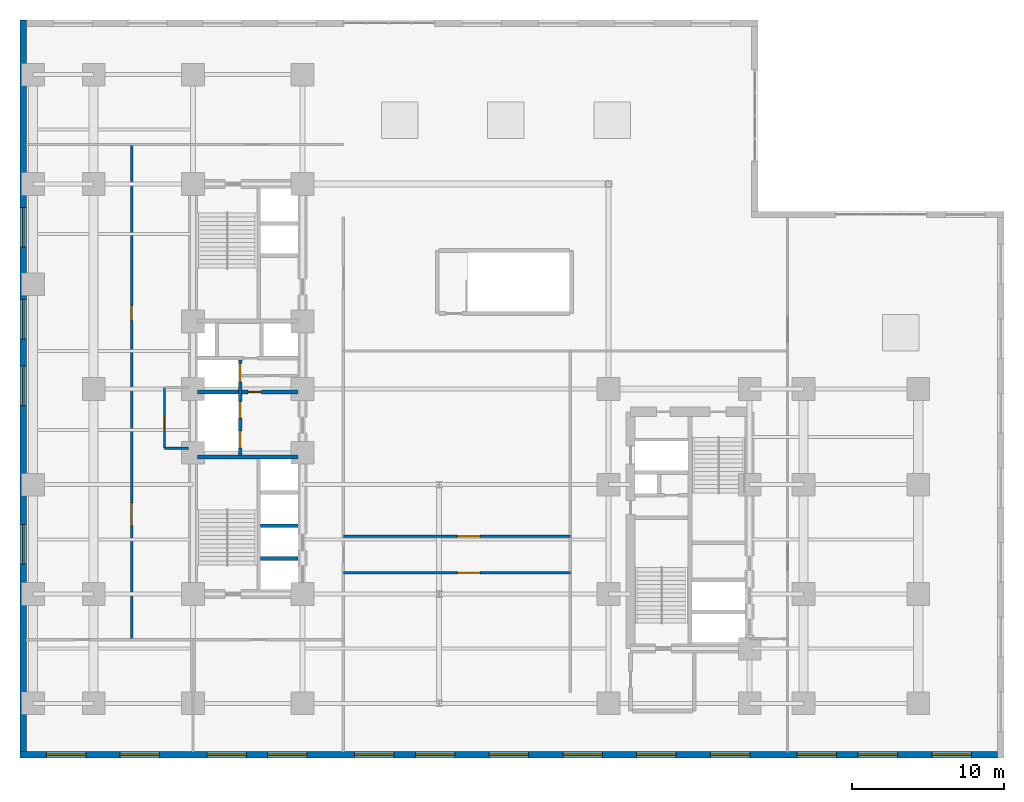
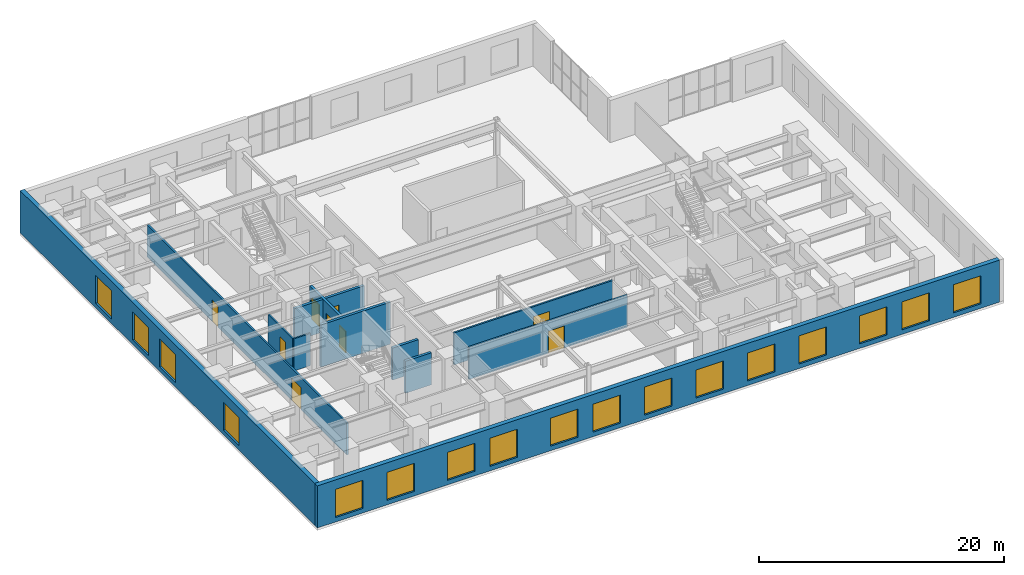
# One storey, part 8 of 14: 17 windows, 12 walls, 9 doors, 26 openings.
"""IFC4 building model written with IfcOpenShell, lengths in metres."""

from ifc_helpers import new_model, entity, si_unit, converted_unit, direction, frame, origin_with_axes, origin_2d_with_axis, place, context, subcontext, project, spatial, polyline, rectangle, outline, extrude, material, layer, layer_set, type_object, element, fill, save


model = new_model("IFC4")

# Units and contexts
model_context = context("Model", 3, precision=1e-05, world=origin_with_axes(), true_north=direction((0.0, 1.0)))
body_context = subcontext(model_context, "Body", "Model", "MODEL_VIEW")
ifc_project = project(units=[si_unit("LENGTHUNIT", "METRE"), si_unit("AREAUNIT", "SQUARE_METRE"), si_unit("VOLUMEUNIT", "CUBIC_METRE"), converted_unit("PLANEANGLEUNIT", "DEGREE", entity("IfcPlaneAngleMeasure", 0.017453292519943295), si_unit("PLANEANGLEUNIT", "RADIAN"), dimensions=[0, 0, 0, 0, 0, 0, 0]), si_unit("MASSUNIT", "GRAM", prefix="KILO"), si_unit("THERMODYNAMICTEMPERATUREUNIT", "KELVIN")], contexts=[model_context])

# Site, building, storey
site_placement = place(None, origin_with_axes())
site = spatial("IfcSite", under=ifc_project, at=site_placement, CompositionType="ELEMENT")
building_placement = place(site_placement, origin_with_axes())
building = spatial("IfcBuilding", under=site, at=building_placement, Name="Varnlund Millrace Tower", CompositionType="ELEMENT")
storey_placement = place(building_placement, frame((0.0, 0.0, 24.3), z_axis=(0.0, 0.0, 1.0), x_axis=(1.0, 0.0, 0.0)))
storey = spatial("IfcBuildingStorey", under=building, at=storey_placement, Name="L05", CompositionType="ELEMENT", Elevation=24.3)

# Wall, openings, windows
ifc_material_1 = material(Name="Precast concrete C50/60", Category="concrete")
ifc_layer_1 = layer(ifc_material_1, 0.42, Name="Precast concrete C50/60")
ifc_layer_set_1 = layer_set([ifc_layer_1], Name="Precast concrete C50/60")
wall_type_1 = type_object("IfcWallType", Name="Type-ExtWall-Precast-Pier-420", PredefinedType="SOLIDWALL", material=ifc_layer_set_1)
wall_1_placement = place(storey_placement, frame((64.38, 0.21, 0.0), z_axis=(0.0, 0.0, 1.0), x_axis=(-1.0, 0.0, 0.0)))
wall_1 = element("IfcWall", 1, at=wall_1_placement, inside=storey, type_object=wall_type_1, Name="Type-ExtWall-Precast-Pier-420", PredefinedType="SOLIDWALL", context=body_context, shape_type="SweptSolid", body=[
    extrude(outline(polyline([(0.0, -0.21), (64.38, -0.21), (64.38, 0.21), (0.0, 0.21), (0.0, -0.21)])), origin_with_axes(), (0.0, 0.0, 1.0), 4.2),
])
opening_1_placement = place(wall_1_placement, frame((3.03, 0.0, 0.45), z_axis=(0.0, 0.0, 1.0), x_axis=(1.0, 0.0, 0.0)))
opening_1 = element("IfcOpeningElement", 2, at=opening_1_placement, cuts=wall_1, Name="Opening L05:WN-01", PredefinedType="OPENING", context=body_context, shape_type="SweptSolid", body=[
    extrude(rectangle(XDim=2.6, YDim=0.44, at=origin_2d_with_axis()), origin_with_axes(), (0.0, 0.0, 1.0), 2.8),
])
opening_2_placement = place(wall_1_placement, frame((7.89, 0.0, 0.45), z_axis=(0.0, 0.0, 1.0), x_axis=(1.0, 0.0, 0.0)))
opening_2 = element("IfcOpeningElement", 3, at=opening_2_placement, cuts=wall_1, Name="Opening L05:WN-02", PredefinedType="OPENING", context=body_context, shape_type="SweptSolid", body=[
    extrude(rectangle(XDim=2.6, YDim=0.44, at=origin_2d_with_axis()), origin_with_axes(), (0.0, 0.0, 1.0), 2.8),
])
opening_3_placement = place(wall_1_placement, frame((11.9, 0.0, 0.45), z_axis=(0.0, 0.0, 1.0), x_axis=(1.0, 0.0, 0.0)))
opening_3 = element("IfcOpeningElement", 4, at=opening_3_placement, cuts=wall_1, Name="Opening L05:WN-03", PredefinedType="OPENING", context=body_context, shape_type="SweptSolid", body=[
    extrude(rectangle(XDim=2.6, YDim=0.44, at=origin_2d_with_axis()), origin_with_axes(), (0.0, 0.0, 1.0), 2.8),
])
opening_4_placement = place(wall_1_placement, frame((17.61, 0.0, 0.45), z_axis=(0.0, 0.0, 1.0), x_axis=(1.0, 0.0, 0.0)))
opening_4 = element("IfcOpeningElement", 5, at=opening_4_placement, cuts=wall_1, Name="Opening L05:WN-04", PredefinedType="OPENING", context=body_context, shape_type="SweptSolid", body=[
    extrude(rectangle(XDim=2.6, YDim=0.44, at=origin_2d_with_axis()), origin_with_axes(), (0.0, 0.0, 1.0), 2.8),
])
opening_5_placement = place(wall_1_placement, frame((22.47, 0.0, 0.45), z_axis=(0.0, 0.0, 1.0), x_axis=(1.0, 0.0, 0.0)))
opening_5 = element("IfcOpeningElement", 6, at=opening_5_placement, cuts=wall_1, Name="Opening L05:WN-05", PredefinedType="OPENING", context=body_context, shape_type="SweptSolid", body=[
    extrude(rectangle(XDim=2.6, YDim=0.44, at=origin_2d_with_axis()), origin_with_axes(), (0.0, 0.0, 1.0), 2.8),
])
opening_6_placement = place(wall_1_placement, frame((27.33, 0.0, 0.45), z_axis=(0.0, 0.0, 1.0), x_axis=(1.0, 0.0, 0.0)))
opening_6 = element("IfcOpeningElement", 7, at=opening_6_placement, cuts=wall_1, Name="Opening L05:WN-06", PredefinedType="OPENING", context=body_context, shape_type="SweptSolid", body=[
    extrude(rectangle(XDim=2.6, YDim=0.44, at=origin_2d_with_axis()), origin_with_axes(), (0.0, 0.0, 1.0), 2.8),
])
opening_7_placement = place(wall_1_placement, frame((32.19, 0.0, 0.45), z_axis=(0.0, 0.0, 1.0), x_axis=(1.0, 0.0, 0.0)))
opening_7 = element("IfcOpeningElement", 8, at=opening_7_placement, cuts=wall_1, Name="Opening L05:WN-07", PredefinedType="OPENING", context=body_context, shape_type="SweptSolid", body=[
    extrude(rectangle(XDim=2.6, YDim=0.44, at=origin_2d_with_axis()), origin_with_axes(), (0.0, 0.0, 1.0), 2.8),
])
opening_8_placement = place(wall_1_placement, frame((37.05, 0.0, 0.45), z_axis=(0.0, 0.0, 1.0), x_axis=(1.0, 0.0, 0.0)))
opening_8 = element("IfcOpeningElement", 9, at=opening_8_placement, cuts=wall_1, Name="Opening L05:WN-08", PredefinedType="OPENING", context=body_context, shape_type="SweptSolid", body=[
    extrude(rectangle(XDim=2.6, YDim=0.44, at=origin_2d_with_axis()), origin_with_axes(), (0.0, 0.0, 1.0), 2.8),
])
opening_9_placement = place(wall_1_placement, frame((41.06, 0.0, 0.45), z_axis=(0.0, 0.0, 1.0), x_axis=(1.0, 0.0, 0.0)))
opening_9 = element("IfcOpeningElement", 10, at=opening_9_placement, cuts=wall_1, Name="Opening L05:WN-09", PredefinedType="OPENING", context=body_context, shape_type="SweptSolid", body=[
    extrude(rectangle(XDim=2.6, YDim=0.44, at=origin_2d_with_axis()), origin_with_axes(), (0.0, 0.0, 1.0), 2.8),
])
opening_10_placement = place(wall_1_placement, frame((46.77, 0.0, 0.45), z_axis=(0.0, 0.0, 1.0), x_axis=(1.0, 0.0, 0.0)))
opening_10 = element("IfcOpeningElement", 11, at=opening_10_placement, cuts=wall_1, Name="Opening L05:WN-10", PredefinedType="OPENING", context=body_context, shape_type="SweptSolid", body=[
    extrude(rectangle(XDim=2.6, YDim=0.44, at=origin_2d_with_axis()), origin_with_axes(), (0.0, 0.0, 1.0), 2.8),
])
opening_11_placement = place(wall_1_placement, frame((50.78, 0.0, 0.45), z_axis=(0.0, 0.0, 1.0), x_axis=(1.0, 0.0, 0.0)))
opening_11 = element("IfcOpeningElement", 12, at=opening_11_placement, cuts=wall_1, Name="Opening L05:WN-11", PredefinedType="OPENING", context=body_context, shape_type="SweptSolid", body=[
    extrude(rectangle(XDim=2.6, YDim=0.44, at=origin_2d_with_axis()), origin_with_axes(), (0.0, 0.0, 1.0), 2.8),
])
opening_12_placement = place(wall_1_placement, frame((56.49, 0.0, 0.45), z_axis=(0.0, 0.0, 1.0), x_axis=(1.0, 0.0, 0.0)))
opening_12 = element("IfcOpeningElement", 13, at=opening_12_placement, cuts=wall_1, Name="Opening L05:WN-12", PredefinedType="OPENING", context=body_context, shape_type="SweptSolid", body=[
    extrude(rectangle(XDim=2.6, YDim=0.44, at=origin_2d_with_axis()), origin_with_axes(), (0.0, 0.0, 1.0), 2.8),
])
opening_13_placement = place(wall_1_placement, frame((61.35, 0.0, 0.45), z_axis=(0.0, 0.0, 1.0), x_axis=(1.0, 0.0, 0.0)))
opening_13 = element("IfcOpeningElement", 14, at=opening_13_placement, cuts=wall_1, Name="Opening L05:WN-13", PredefinedType="OPENING", context=body_context, shape_type="SweptSolid", body=[
    extrude(rectangle(XDim=2.6, YDim=0.44, at=origin_2d_with_axis()), origin_with_axes(), (0.0, 0.0, 1.0), 2.8),
])
ifc_material_2 = material(Name="Argon low-e triple glazing in thermally broken bronze frame", Category="glass")
window_type = type_object("IfcWindowType", Name="Type-Window-Podium-2600X2800", PartitioningType="SINGLE_PANEL", PredefinedType="WINDOW", material=ifc_material_2)
window_1_placement = place(wall_1_placement, frame((3.03, 0.0, 0.45), z_axis=(0.0, 0.0, 1.0), x_axis=(1.0, 0.0, 0.0)))
window_1 = element("IfcWindow", 15, at=window_1_placement, inside=storey, type_object=window_type, Name="Type-Window-Podium-2600X2800", OverallHeight=2.8, OverallWidth=2.6, PredefinedType="WINDOW", context=body_context, shape_type="SweptSolid", body=[
    extrude(rectangle(XDim=2.6, YDim=0.09, at=origin_2d_with_axis()), origin_with_axes(), (0.0, 0.0, 1.0), 2.8),
])
fill(opening_1, window_1)
window_2_placement = place(wall_1_placement, frame((7.89, 0.0, 0.45), z_axis=(0.0, 0.0, 1.0), x_axis=(1.0, 0.0, 0.0)))
window_2 = element("IfcWindow", 16, at=window_2_placement, inside=storey, type_object=window_type, Name="Type-Window-Podium-2600X2800", OverallHeight=2.8, OverallWidth=2.6, PredefinedType="WINDOW", context=body_context, shape_type="SweptSolid", body=[
    extrude(rectangle(XDim=2.6, YDim=0.09, at=origin_2d_with_axis()), origin_with_axes(), (0.0, 0.0, 1.0), 2.8),
])
fill(opening_2, window_2)
window_3_placement = place(wall_1_placement, frame((11.9, 0.0, 0.45), z_axis=(0.0, 0.0, 1.0), x_axis=(1.0, 0.0, 0.0)))
window_3 = element("IfcWindow", 17, at=window_3_placement, inside=storey, type_object=window_type, Name="Type-Window-Podium-2600X2800", OverallHeight=2.8, OverallWidth=2.6, PredefinedType="WINDOW", context=body_context, shape_type="SweptSolid", body=[
    extrude(rectangle(XDim=2.6, YDim=0.09, at=origin_2d_with_axis()), origin_with_axes(), (0.0, 0.0, 1.0), 2.8),
])
fill(opening_3, window_3)
window_4_placement = place(wall_1_placement, frame((17.61, 0.0, 0.45), z_axis=(0.0, 0.0, 1.0), x_axis=(1.0, 0.0, 0.0)))
window_4 = element("IfcWindow", 18, at=window_4_placement, inside=storey, type_object=window_type, Name="Type-Window-Podium-2600X2800", OverallHeight=2.8, OverallWidth=2.6, PredefinedType="WINDOW", context=body_context, shape_type="SweptSolid", body=[
    extrude(rectangle(XDim=2.6, YDim=0.09, at=origin_2d_with_axis()), origin_with_axes(), (0.0, 0.0, 1.0), 2.8),
])
fill(opening_4, window_4)
window_5_placement = place(wall_1_placement, frame((22.47, 0.0, 0.45), z_axis=(0.0, 0.0, 1.0), x_axis=(1.0, 0.0, 0.0)))
window_5 = element("IfcWindow", 19, at=window_5_placement, inside=storey, type_object=window_type, Name="Type-Window-Podium-2600X2800", OverallHeight=2.8, OverallWidth=2.6, PredefinedType="WINDOW", context=body_context, shape_type="SweptSolid", body=[
    extrude(rectangle(XDim=2.6, YDim=0.09, at=origin_2d_with_axis()), origin_with_axes(), (0.0, 0.0, 1.0), 2.8),
])
fill(opening_5, window_5)
window_6_placement = place(wall_1_placement, frame((27.33, 0.0, 0.45), z_axis=(0.0, 0.0, 1.0), x_axis=(1.0, 0.0, 0.0)))
window_6 = element("IfcWindow", 20, at=window_6_placement, inside=storey, type_object=window_type, Name="Type-Window-Podium-2600X2800", OverallHeight=2.8, OverallWidth=2.6, PredefinedType="WINDOW", context=body_context, shape_type="SweptSolid", body=[
    extrude(rectangle(XDim=2.6, YDim=0.09, at=origin_2d_with_axis()), origin_with_axes(), (0.0, 0.0, 1.0), 2.8),
])
fill(opening_6, window_6)
window_7_placement = place(wall_1_placement, frame((32.19, 0.0, 0.45), z_axis=(0.0, 0.0, 1.0), x_axis=(1.0, 0.0, 0.0)))
window_7 = element("IfcWindow", 21, at=window_7_placement, inside=storey, type_object=window_type, Name="Type-Window-Podium-2600X2800", OverallHeight=2.8, OverallWidth=2.6, PredefinedType="WINDOW", context=body_context, shape_type="SweptSolid", body=[
    extrude(rectangle(XDim=2.6, YDim=0.09, at=origin_2d_with_axis()), origin_with_axes(), (0.0, 0.0, 1.0), 2.8),
])
fill(opening_7, window_7)
window_8_placement = place(wall_1_placement, frame((37.05, 0.0, 0.45), z_axis=(0.0, 0.0, 1.0), x_axis=(1.0, 0.0, 0.0)))
window_8 = element("IfcWindow", 22, at=window_8_placement, inside=storey, type_object=window_type, Name="Type-Window-Podium-2600X2800", OverallHeight=2.8, OverallWidth=2.6, PredefinedType="WINDOW", context=body_context, shape_type="SweptSolid", body=[
    extrude(rectangle(XDim=2.6, YDim=0.09, at=origin_2d_with_axis()), origin_with_axes(), (0.0, 0.0, 1.0), 2.8),
])
fill(opening_8, window_8)
window_9_placement = place(wall_1_placement, frame((41.06, 0.0, 0.45), z_axis=(0.0, 0.0, 1.0), x_axis=(1.0, 0.0, 0.0)))
window_9 = element("IfcWindow", 23, at=window_9_placement, inside=storey, type_object=window_type, Name="Type-Window-Podium-2600X2800", OverallHeight=2.8, OverallWidth=2.6, PredefinedType="WINDOW", context=body_context, shape_type="SweptSolid", body=[
    extrude(rectangle(XDim=2.6, YDim=0.09, at=origin_2d_with_axis()), origin_with_axes(), (0.0, 0.0, 1.0), 2.8),
])
fill(opening_9, window_9)
window_10_placement = place(wall_1_placement, frame((46.77, 0.0, 0.45), z_axis=(0.0, 0.0, 1.0), x_axis=(1.0, 0.0, 0.0)))
window_10 = element("IfcWindow", 24, at=window_10_placement, inside=storey, type_object=window_type, Name="Type-Window-Podium-2600X2800", OverallHeight=2.8, OverallWidth=2.6, PredefinedType="WINDOW", context=body_context, shape_type="SweptSolid", body=[
    extrude(rectangle(XDim=2.6, YDim=0.09, at=origin_2d_with_axis()), origin_with_axes(), (0.0, 0.0, 1.0), 2.8),
])
fill(opening_10, window_10)
window_11_placement = place(wall_1_placement, frame((50.78, 0.0, 0.45), z_axis=(0.0, 0.0, 1.0), x_axis=(1.0, 0.0, 0.0)))
window_11 = element("IfcWindow", 25, at=window_11_placement, inside=storey, type_object=window_type, Name="Type-Window-Podium-2600X2800", OverallHeight=2.8, OverallWidth=2.6, PredefinedType="WINDOW", context=body_context, shape_type="SweptSolid", body=[
    extrude(rectangle(XDim=2.6, YDim=0.09, at=origin_2d_with_axis()), origin_with_axes(), (0.0, 0.0, 1.0), 2.8),
])
fill(opening_11, window_11)
window_12_placement = place(wall_1_placement, frame((56.49, 0.0, 0.45), z_axis=(0.0, 0.0, 1.0), x_axis=(1.0, 0.0, 0.0)))
window_12 = element("IfcWindow", 26, at=window_12_placement, inside=storey, type_object=window_type, Name="Type-Window-Podium-2600X2800", OverallHeight=2.8, OverallWidth=2.6, PredefinedType="WINDOW", context=body_context, shape_type="SweptSolid", body=[
    extrude(rectangle(XDim=2.6, YDim=0.09, at=origin_2d_with_axis()), origin_with_axes(), (0.0, 0.0, 1.0), 2.8),
])
fill(opening_12, window_12)
window_13_placement = place(wall_1_placement, frame((61.35, 0.0, 0.45), z_axis=(0.0, 0.0, 1.0), x_axis=(1.0, 0.0, 0.0)))
window_13 = element("IfcWindow", 27, at=window_13_placement, inside=storey, type_object=window_type, Name="Type-Window-Podium-2600X2800", OverallHeight=2.8, OverallWidth=2.6, PredefinedType="WINDOW", context=body_context, shape_type="SweptSolid", body=[
    extrude(rectangle(XDim=2.6, YDim=0.09, at=origin_2d_with_axis()), origin_with_axes(), (0.0, 0.0, 1.0), 2.8),
])
fill(opening_13, window_13)

wall_2_placement = place(storey_placement, frame((0.21, 0.42, 0.0), z_axis=(0.0, 0.0, 1.0), x_axis=(0.0, 1.0, 0.0)))
wall_2 = element("IfcWall", 28, at=wall_2_placement, inside=storey, type_object=wall_type_1, Name="Type-ExtWall-Precast-Pier-420", PredefinedType="SOLIDWALL", context=body_context, shape_type="SweptSolid", body=[
    extrude(outline(polyline([(0.0, -0.21), (48.18, -0.21), (48.18, 0.21), (0.0, 0.21), (0.0, -0.21)])), origin_with_axes(), (0.0, 0.0, 1.0), 4.2),
])
opening_14_placement = place(wall_2_placement, frame((13.65, 0.0, 0.45), z_axis=(0.0, 0.0, 1.0), x_axis=(1.0, 0.0, 0.0)))
opening_14 = element("IfcOpeningElement", 29, at=opening_14_placement, cuts=wall_2, Name="Opening L05:WN-14", PredefinedType="OPENING", context=body_context, shape_type="SweptSolid", body=[
    extrude(rectangle(XDim=2.6, YDim=0.44, at=origin_2d_with_axis()), origin_with_axes(), (0.0, 0.0, 1.0), 2.8),
])
opening_15_placement = place(wall_2_placement, frame((24.09, 0.0, 0.45), z_axis=(0.0, 0.0, 1.0), x_axis=(1.0, 0.0, 0.0)))
opening_15 = element("IfcOpeningElement", 30, at=opening_15_placement, cuts=wall_2, Name="Opening L05:WN-15", PredefinedType="OPENING", context=body_context, shape_type="SweptSolid", body=[
    extrude(rectangle(XDim=2.6, YDim=0.44, at=origin_2d_with_axis()), origin_with_axes(), (0.0, 0.0, 1.0), 2.8),
])
opening_16_placement = place(wall_2_placement, frame((28.46, 0.0, 0.45), z_axis=(0.0, 0.0, 1.0), x_axis=(1.0, 0.0, 0.0)))
opening_16 = element("IfcOpeningElement", 31, at=opening_16_placement, cuts=wall_2, Name="Opening L05:WN-16", PredefinedType="OPENING", context=body_context, shape_type="SweptSolid", body=[
    extrude(rectangle(XDim=2.6, YDim=0.44, at=origin_2d_with_axis()), origin_with_axes(), (0.0, 0.0, 1.0), 2.8),
])
opening_17_placement = place(wall_2_placement, frame((34.53, 0.0, 0.45), z_axis=(0.0, 0.0, 1.0), x_axis=(1.0, 0.0, 0.0)))
opening_17 = element("IfcOpeningElement", 32, at=opening_17_placement, cuts=wall_2, Name="Opening L05:WN-17", PredefinedType="OPENING", context=body_context, shape_type="SweptSolid", body=[
    extrude(rectangle(XDim=2.6, YDim=0.44, at=origin_2d_with_axis()), origin_with_axes(), (0.0, 0.0, 1.0), 2.8),
])
window_14_placement = place(wall_2_placement, frame((13.65, 0.0, 0.45), z_axis=(0.0, 0.0, 1.0), x_axis=(1.0, 0.0, 0.0)))
window_14 = element("IfcWindow", 33, at=window_14_placement, inside=storey, type_object=window_type, Name="Type-Window-Podium-2600X2800", OverallHeight=2.8, OverallWidth=2.6, PredefinedType="WINDOW", context=body_context, shape_type="SweptSolid", body=[
    extrude(rectangle(XDim=2.6, YDim=0.09, at=origin_2d_with_axis()), origin_with_axes(), (0.0, 0.0, 1.0), 2.8),
])
fill(opening_14, window_14)
window_15_placement = place(wall_2_placement, frame((24.09, 0.0, 0.45), z_axis=(0.0, 0.0, 1.0), x_axis=(1.0, 0.0, 0.0)))
window_15 = element("IfcWindow", 34, at=window_15_placement, inside=storey, type_object=window_type, Name="Type-Window-Podium-2600X2800", OverallHeight=2.8, OverallWidth=2.6, PredefinedType="WINDOW", context=body_context, shape_type="SweptSolid", body=[
    extrude(rectangle(XDim=2.6, YDim=0.09, at=origin_2d_with_axis()), origin_with_axes(), (0.0, 0.0, 1.0), 2.8),
])
fill(opening_15, window_15)
window_16_placement = place(wall_2_placement, frame((28.46, 0.0, 0.45), z_axis=(0.0, 0.0, 1.0), x_axis=(1.0, 0.0, 0.0)))
window_16 = element("IfcWindow", 35, at=window_16_placement, inside=storey, type_object=window_type, Name="Type-Window-Podium-2600X2800", OverallHeight=2.8, OverallWidth=2.6, PredefinedType="WINDOW", context=body_context, shape_type="SweptSolid", body=[
    extrude(rectangle(XDim=2.6, YDim=0.09, at=origin_2d_with_axis()), origin_with_axes(), (0.0, 0.0, 1.0), 2.8),
])
fill(opening_16, window_16)
window_17_placement = place(wall_2_placement, frame((34.53, 0.0, 0.45), z_axis=(0.0, 0.0, 1.0), x_axis=(1.0, 0.0, 0.0)))
window_17 = element("IfcWindow", 36, at=window_17_placement, inside=storey, type_object=window_type, Name="Type-Window-Podium-2600X2800", OverallHeight=2.8, OverallWidth=2.6, PredefinedType="WINDOW", context=body_context, shape_type="SweptSolid", body=[
    extrude(rectangle(XDim=2.6, YDim=0.09, at=origin_2d_with_axis()), origin_with_axes(), (0.0, 0.0, 1.0), 2.8),
])
fill(opening_17, window_17)

# Wall, openings, doors
ifc_material_3 = material(Name="Fire-rated gypsum board on cold-formed steel framing", Category="steel")
ifc_layer_2 = layer(ifc_material_3, 0.16, Name="Fire-rated gypsum board on cold-formed steel framing")
ifc_layer_set_2 = layer_set([ifc_layer_2], Name="Fire-rated gypsum board on cold-formed steel framing")
wall_type_2 = type_object("IfcWallType", Name="Type-Partition-Corridor-160", PredefinedType="PARTITIONING", material=ifc_layer_set_2)
wall_3_placement = place(storey_placement, frame((7.35, 7.8, 0.0), z_axis=(0.0, 0.0, 1.0), x_axis=(0.0, 1.0, 0.0)))
wall_3 = element("IfcWall", 37, at=wall_3_placement, inside=storey, type_object=wall_type_2, Name="Type-Partition-Corridor-160", PredefinedType="PARTITIONING", context=body_context, shape_type="SweptSolid", body=[
    extrude(outline(polyline([(0.0, -0.08), (32.6, -0.08), (32.6, 0.08), (0.0, 0.08), (0.0, -0.08)])), origin_with_axes(), (0.0, 0.0, 1.0), 3.2),
])
opening_18_placement = place(wall_3_placement, frame((8.25, 0.0, 0.0), z_axis=(0.0, 0.0, 1.0), x_axis=(1.0, 0.0, 0.0)))
opening_18 = element("IfcOpeningElement", 38, at=opening_18_placement, cuts=wall_3, Name="Opening L05:DR-POD-W1", PredefinedType="OPENING", context=body_context, shape_type="SweptSolid", body=[
    extrude(rectangle(XDim=1.5, YDim=0.18, at=origin_2d_with_axis()), origin_with_axes(), (0.0, 0.0, 1.0), 2.2),
])
opening_19_placement = place(wall_3_placement, frame((21.5, 0.0, 0.0), z_axis=(0.0, 0.0, 1.0), x_axis=(1.0, 0.0, 0.0)))
opening_19 = element("IfcOpeningElement", 39, at=opening_19_placement, cuts=wall_3, Name="Opening L05:DR-POD-W2", PredefinedType="OPENING", context=body_context, shape_type="SweptSolid", body=[
    extrude(rectangle(XDim=1.0, YDim=0.18, at=origin_2d_with_axis()), origin_with_axes(), (0.0, 0.0, 1.0), 2.15),
])
ifc_material_4 = material(Name="Solid-core white oak and bronze frame door")
door_type_1 = type_object("IfcDoorType", Name="Type-IntDoor-Office-1000X2150", OperationType="NOTDEFINED", PredefinedType="DOOR", material=ifc_material_4)
door_1_placement = place(wall_3_placement, frame((21.5, 0.0, 0.0), z_axis=(0.0, 0.0, 1.0), x_axis=(1.0, 0.0, 0.0)))
door_1 = element("IfcDoor", 40, at=door_1_placement, inside=storey, type_object=door_type_1, Name="Type-IntDoor-Office-1000X2150", OperationType="SINGLE_SWING_LEFT", OverallHeight=2.15, OverallWidth=1.0, PredefinedType="DOOR", context=body_context, shape_type="SweptSolid", body=[
    extrude(rectangle(XDim=1.0, YDim=0.09, at=origin_2d_with_axis()), origin_with_axes(), (0.0, 0.0, 1.0), 2.15),
])
fill(opening_19, door_1)
ifc_material_5 = material(Name="Architectural bronze and acoustic glass double door", Category="glass")
door_type_2 = type_object("IfcDoorType", Name="Type-IntDoor-SuitePair-1500X2200", OperationType="NOTDEFINED", PredefinedType="DOOR", material=ifc_material_5)
door_2_placement = place(wall_3_placement, frame((8.25, 0.0, 0.0), z_axis=(0.0, 0.0, 1.0), x_axis=(1.0, 0.0, 0.0)))
door_2 = element("IfcDoor", 41, at=door_2_placement, inside=storey, type_object=door_type_2, Name="Type-IntDoor-SuitePair-1500X2200", OperationType="DOUBLE_DOOR_SINGLE_SWING", OverallHeight=2.2, OverallWidth=1.5, PredefinedType="DOOR", context=body_context, shape_type="SweptSolid", body=[
    extrude(rectangle(XDim=1.5, YDim=0.09, at=origin_2d_with_axis()), origin_with_axes(), (0.0, 0.0, 1.0), 2.2),
])
fill(opening_18, door_2)

# Wall, opening, door
wall_4_placement = place(storey_placement, frame((21.3, 12.2, 0.0), z_axis=(0.0, 0.0, 1.0), x_axis=(1.0, 0.0, 0.0)))
wall_4 = element("IfcWall", 42, at=wall_4_placement, inside=storey, type_object=wall_type_2, Name="Type-Partition-Corridor-160", PredefinedType="PARTITIONING", context=body_context, shape_type="SweptSolid", body=[
    extrude(outline(polyline([(0.0, -0.08), (14.95, -0.08), (14.95, 0.08), (0.0, 0.08), (0.0, -0.08)])), origin_with_axes(), (0.0, 0.0, 1.0), 3.2),
])
opening_20_placement = place(wall_4_placement, frame((8.25, 0.0, 0.0), z_axis=(0.0, 0.0, 1.0), x_axis=(1.0, 0.0, 0.0)))
opening_20 = element("IfcOpeningElement", 43, at=opening_20_placement, cuts=wall_4, Name="Opening L05:DR-POD-E1S", PredefinedType="OPENING", context=body_context, shape_type="SweptSolid", body=[
    extrude(rectangle(XDim=1.5, YDim=0.18, at=origin_2d_with_axis()), origin_with_axes(), (0.0, 0.0, 1.0), 2.2),
])
door_3_placement = place(wall_4_placement, frame((8.25, 0.0, 0.0), z_axis=(0.0, 0.0, 1.0), x_axis=(1.0, 0.0, 0.0)))
door_3 = element("IfcDoor", 44, at=door_3_placement, inside=storey, type_object=door_type_2, Name="Type-IntDoor-SuitePair-1500X2200", OperationType="DOUBLE_DOOR_SINGLE_SWING", OverallHeight=2.2, OverallWidth=1.5, PredefinedType="DOOR", context=body_context, shape_type="SweptSolid", body=[
    extrude(rectangle(XDim=1.5, YDim=0.09, at=origin_2d_with_axis()), origin_with_axes(), (0.0, 0.0, 1.0), 2.2),
])
fill(opening_20, door_3)

wall_5_placement = place(storey_placement, frame((21.3, 14.6, 0.0), z_axis=(0.0, 0.0, 1.0), x_axis=(1.0, 0.0, 0.0)))
wall_5 = element("IfcWall", 45, at=wall_5_placement, inside=storey, type_object=wall_type_2, Name="Type-Partition-Corridor-160", PredefinedType="PARTITIONING", context=body_context, shape_type="SweptSolid", body=[
    extrude(outline(polyline([(0.0, -0.08), (14.95, -0.08), (14.95, 0.08), (0.0, 0.08), (0.0, -0.08)])), origin_with_axes(), (0.0, 0.0, 1.0), 3.2),
])
opening_21_placement = place(wall_5_placement, frame((8.25, 0.0, 0.0), z_axis=(0.0, 0.0, 1.0), x_axis=(1.0, 0.0, 0.0)))
opening_21 = element("IfcOpeningElement", 46, at=opening_21_placement, cuts=wall_5, Name="Opening L05:DR-POD-E1N", PredefinedType="OPENING", context=body_context, shape_type="SweptSolid", body=[
    extrude(rectangle(XDim=1.5, YDim=0.18, at=origin_2d_with_axis()), origin_with_axes(), (0.0, 0.0, 1.0), 2.2),
])
door_4_placement = place(wall_5_placement, frame((8.25, 0.0, 0.0), z_axis=(0.0, 0.0, 1.0), x_axis=(1.0, 0.0, 0.0)))
door_4 = element("IfcDoor", 47, at=door_4_placement, inside=storey, type_object=door_type_2, Name="Type-IntDoor-SuitePair-1500X2200", OperationType="DOUBLE_DOOR_SINGLE_SWING", OverallHeight=2.2, OverallWidth=1.5, PredefinedType="DOOR", context=body_context, shape_type="SweptSolid", body=[
    extrude(rectangle(XDim=1.5, YDim=0.09, at=origin_2d_with_axis()), origin_with_axes(), (0.0, 0.0, 1.0), 2.2),
])
fill(opening_21, door_4)

ifc_material_6 = material(Name="Moisture-resistant gypsum restroom partition", Category="gypsum")
ifc_layer_3 = layer(ifc_material_6, 0.14, Name="Moisture-resistant gypsum restroom partition")
ifc_layer_set_3 = layer_set([ifc_layer_3], Name="Moisture-resistant gypsum restroom partition")
wall_type_3 = type_object("IfcWallType", Name="Type-Partition-Wet-140", PredefinedType="PARTITIONING", material=ifc_layer_set_3)
wall_6_placement = place(storey_placement, frame((9.52, 20.4, 0.0), z_axis=(0.0, 0.0, 1.0), x_axis=(0.0, 1.0, 0.0)))
wall_6 = element("IfcWall", 48, at=wall_6_placement, inside=storey, type_object=wall_type_3, Name="Type-Partition-Wet-140", PredefinedType="PARTITIONING", context=body_context, shape_type="SweptSolid", body=[
    extrude(outline(polyline([(0.0, -0.07), (4.0, -0.07), (4.0, 0.07), (0.0, 0.07), (0.0, -0.07)])), origin_with_axes(), (0.0, 0.0, 1.0), 3.2),
])
opening_22_placement = place(wall_6_placement, frame((1.625, 0.0, 0.0), z_axis=(0.0, 0.0, 1.0), x_axis=(1.0, 0.0, 0.0)))
opening_22 = element("IfcOpeningElement", 49, at=opening_22_placement, cuts=wall_6, Name="Opening L05:DR-CA-WCW", PredefinedType="OPENING", context=body_context, shape_type="SweptSolid", body=[
    extrude(rectangle(XDim=0.95, YDim=0.16, at=origin_2d_with_axis()), origin_with_axes(), (0.0, 0.0, 1.0), 2.15),
])
ifc_material_7 = material(Name="Solid-core acoustic office door")
door_type_3 = type_object("IfcDoorType", Name="Type-IntDoor-Tenant-950X2150", OperationType="NOTDEFINED", PredefinedType="DOOR", material=ifc_material_7)
door_5_placement = place(wall_6_placement, frame((1.625, 0.0, 0.0), z_axis=(0.0, 0.0, 1.0), x_axis=(1.0, 0.0, 0.0)))
door_5 = element("IfcDoor", 50, at=door_5_placement, inside=storey, type_object=door_type_3, Name="Type-IntDoor-Tenant-950X2150", OperationType="SINGLE_SWING_LEFT", OverallHeight=2.15, OverallWidth=0.95, PredefinedType="DOOR", context=body_context, shape_type="SweptSolid", body=[
    extrude(rectangle(XDim=0.95, YDim=0.084, at=origin_2d_with_axis()), origin_with_axes(), (0.0, 0.0, 1.0), 2.15),
])
fill(opening_22, door_5)

# Wall
wall_7_placement = place(storey_placement, frame((9.52, 20.4, 0.0), z_axis=(0.0, 0.0, 1.0), x_axis=(1.0, 0.0, 0.0)))
element("IfcWall", 51, at=wall_7_placement, inside=storey, type_object=wall_type_3, Name="Type-Partition-Wet-140", PredefinedType="PARTITIONING", context=body_context, shape_type="SweptSolid", body=[
    extrude(outline(polyline([(0.0, -0.07), (1.58, -0.07), (1.58, 0.07), (0.0, 0.07), (0.0, -0.07)])), origin_with_axes(), (0.0, 0.0, 1.0), 3.2),
])

# Wall, openings, doors
ifc_material_8 = material(Name="Concrete C60/75", Category="concrete")
ifc_layer_4 = layer(ifc_material_8, 0.25, Name="Concrete C60/75")
ifc_layer_set_4 = layer_set([ifc_layer_4], Name="Concrete C60/75")
wall_type_4 = type_object("IfcWallType", Name="Type-ShaftWall-Fire-250", PredefinedType="SOLIDWALL", material=ifc_layer_set_4)
wall_8_placement = place(storey_placement, frame((14.5, 19.95, 0.0), z_axis=(0.0, 0.0, 1.0), x_axis=(0.0, 1.0, 0.0)))
wall_8 = element("IfcWall", 52, at=wall_8_placement, inside=storey, type_object=wall_type_4, Name="Type-ShaftWall-Fire-250", PredefinedType="SOLIDWALL", context=body_context, shape_type="SweptSolid", body=[
    extrude(outline(polyline([(0.0, -0.125), (6.25, -0.125), (6.25, 0.125), (0.0, 0.125), (0.0, -0.125)])), origin_with_axes(), (0.0, 0.0, 1.0), 3.24),
])
opening_23_placement = place(wall_8_placement, frame((1.025, 0.0, 0.0), z_axis=(0.0, 0.0, 1.0), x_axis=(1.0, 0.0, 0.0)))
opening_23 = element("IfcOpeningElement", 53, at=opening_23_placement, cuts=wall_8, Name="Opening L05:LD-FSAE1", PredefinedType="OPENING", context=body_context, shape_type="SweptSolid", body=[
    extrude(rectangle(XDim=1.1, YDim=0.27, at=origin_2d_with_axis()), origin_with_axes(), (0.0, 0.0, 1.0), 2.15),
])
opening_24_placement = place(wall_8_placement, frame((2.975, 0.0, 0.0), z_axis=(0.0, 0.0, 1.0), x_axis=(1.0, 0.0, 0.0)))
opening_24 = element("IfcOpeningElement", 54, at=opening_24_placement, cuts=wall_8, Name="Opening L05:LD-FSAE2", PredefinedType="OPENING", context=body_context, shape_type="SweptSolid", body=[
    extrude(rectangle(XDim=1.1, YDim=0.27, at=origin_2d_with_axis()), origin_with_axes(), (0.0, 0.0, 1.0), 2.15),
])
opening_25_placement = place(wall_8_placement, frame((5.425, 0.0, 0.0), z_axis=(0.0, 0.0, 1.0), x_axis=(1.0, 0.0, 0.0)))
opening_25 = element("IfcOpeningElement", 55, at=opening_25_placement, cuts=wall_8, Name="Opening L05:LD-SRV1", PredefinedType="OPENING", context=body_context, shape_type="SweptSolid", body=[
    extrude(rectangle(XDim=1.2, YDim=0.27, at=origin_2d_with_axis()), origin_with_axes(), (0.0, 0.0, 1.0), 2.15),
])
ifc_material_9 = material(Name="Stainless and architectural bronze sliding landing door")
door_type_4 = type_object("IfcDoorType", Name="Type-LiftLandingDoor-1100X2150", OperationType="NOTDEFINED", PredefinedType="DOOR", material=ifc_material_9)
door_6_placement = place(wall_8_placement, frame((1.025, 0.0, 0.0), z_axis=(0.0, 0.0, 1.0), x_axis=(1.0, 0.0, 0.0)))
door_6 = element("IfcDoor", 56, at=door_6_placement, inside=storey, type_object=door_type_4, Name="Type-LiftLandingDoor-1100X2150", OperationType="SLIDING_TO_LEFT", OverallHeight=2.15, OverallWidth=1.1, PredefinedType="DOOR", context=body_context, shape_type="SweptSolid", body=[
    extrude(rectangle(XDim=1.1, YDim=0.09, at=origin_2d_with_axis()), origin_with_axes(), (0.0, 0.0, 1.0), 2.15),
])
fill(opening_23, door_6)
door_7_placement = place(wall_8_placement, frame((2.975, 0.0, 0.0), z_axis=(0.0, 0.0, 1.0), x_axis=(1.0, 0.0, 0.0)))
door_7 = element("IfcDoor", 57, at=door_7_placement, inside=storey, type_object=door_type_4, Name="Type-LiftLandingDoor-1100X2150", OperationType="SLIDING_TO_RIGHT", OverallHeight=2.15, OverallWidth=1.1, PredefinedType="DOOR", context=body_context, shape_type="SweptSolid", body=[
    extrude(rectangle(XDim=1.1, YDim=0.09, at=origin_2d_with_axis()), origin_with_axes(), (0.0, 0.0, 1.0), 2.15),
])
fill(opening_24, door_7)
ifc_material_10 = material(Name="Heavy-duty freight sliding landing door")
door_type_5 = type_object("IfcDoorType", Name="Type-LiftLandingDoor-Service-1200X2150", OperationType="NOTDEFINED", PredefinedType="DOOR", material=ifc_material_10)
door_8_placement = place(wall_8_placement, frame((5.425, 0.0, 0.0), z_axis=(0.0, 0.0, 1.0), x_axis=(1.0, 0.0, 0.0)))
door_8 = element("IfcDoor", 58, at=door_8_placement, inside=storey, type_object=door_type_5, Name="Type-LiftLandingDoor-Service-1200X2150", OperationType="DOUBLE_DOOR_SLIDING", OverallHeight=2.15, OverallWidth=1.2, PredefinedType="DOOR", context=body_context, shape_type="SweptSolid", body=[
    extrude(rectangle(XDim=1.2, YDim=0.09, at=origin_2d_with_axis()), origin_with_axes(), (0.0, 0.0, 1.0), 2.15),
])
fill(opening_25, door_8)

# Wall, opening, door
wall_9_placement = place(storey_placement, frame((11.7, 24.1, 0.0), z_axis=(0.0, 0.0, 1.0), x_axis=(1.0, 0.0, 0.0)))
wall_9 = element("IfcWall", 59, at=wall_9_placement, inside=storey, type_object=wall_type_4, Name="Type-ShaftWall-Fire-250", PredefinedType="SOLIDWALL", context=body_context, shape_type="SweptSolid", body=[
    extrude(outline(polyline([(0.0, -0.125), (6.6, -0.125), (6.6, 0.125), (0.0, 0.125), (0.0, -0.125)])), origin_with_axes(), (0.0, 0.0, 1.0), 3.24),
])
opening_26_placement = place(wall_9_placement, frame((3.75, 0.0, 0.0), z_axis=(0.0, 0.0, 1.0), x_axis=(1.0, 0.0, 0.0)))
opening_26 = element("IfcOpeningElement", 60, at=opening_26_placement, cuts=wall_9, Name="Opening L05:DR-CA-SUB1", PredefinedType="OPENING", context=body_context, shape_type="SweptSolid", body=[
    extrude(rectangle(XDim=0.9, YDim=0.27, at=origin_2d_with_axis()), origin_with_axes(), (0.0, 0.0, 1.0), 2.15),
])
ifc_material_11 = material(Name="Fire-rated hollow steel service closet door", Category="steel")
door_type_6 = type_object("IfcDoorType", Name="Type-FireDoor-Closet-900X2150", OperationType="NOTDEFINED", PredefinedType="DOOR", material=ifc_material_11)
door_9_placement = place(wall_9_placement, frame((3.75, 0.0, 0.0), z_axis=(0.0, 0.0, 1.0), x_axis=(1.0, 0.0, 0.0)))
door_9 = element("IfcDoor", 61, at=door_9_placement, inside=storey, type_object=door_type_6, Name="Type-FireDoor-Closet-900X2150", OperationType="SINGLE_SWING_LEFT", OverallHeight=2.15, OverallWidth=0.9, PredefinedType="DOOR", context=body_context, shape_type="SweptSolid", body=[
    extrude(rectangle(XDim=0.9, YDim=0.09, at=origin_2d_with_axis()), origin_with_axes(), (0.0, 0.0, 1.0), 2.15),
])
fill(opening_26, door_9)

# Walls
for number, where, z_axis, x_axis, name in (
    (62, (15.84, 13.13, 0.0), (0.0, 0.0, 1.0), (1.0, 0.0, 0.0), "Type-ShaftWall-Fire-250"),
    (63, (15.84, 15.29, 0.0), (0.0, 0.0, 1.0), (1.0, 0.0, 0.0), "Type-ShaftWall-Fire-250"),
):
    element("IfcWall", number, at=place(storey_placement, frame(where, z_axis=z_axis, x_axis=x_axis)), inside=storey, type_object=wall_type_4, Name=name, PredefinedType="SOLIDWALL", context=body_context, shape_type="SweptSolid", body=[
        extrude(outline(polyline([(0.0, -0.125), (2.46, -0.125), (2.46, 0.125), (0.0, 0.125), (0.0, -0.125)])), origin_with_axes(), (0.0, 0.0, 1.0), 3.2),
    ])
wall_type_5 = type_object("IfcWallType", Name="Type-StairWall-Shear-250", PredefinedType="SHEAR", material=ifc_layer_set_4)
wall_10_placement = place(storey_placement, frame((11.7, 19.825, 0.0), z_axis=(0.0, 0.0, 1.0), x_axis=(1.0, 0.0, 0.0)))
element("IfcWall", 64, at=wall_10_placement, inside=storey, type_object=wall_type_5, Name="Type-StairWall-Shear-250", PredefinedType="SHEAR", context=body_context, shape_type="SweptSolid", body=[
    extrude(outline(polyline([(0.0, -0.125), (6.6, -0.125), (6.6, 0.125), (0.0, 0.125), (0.0, -0.125)])), origin_with_axes(), (0.0, 0.0, 1.0), 4.2),
])

save(model, "model.ifc")
